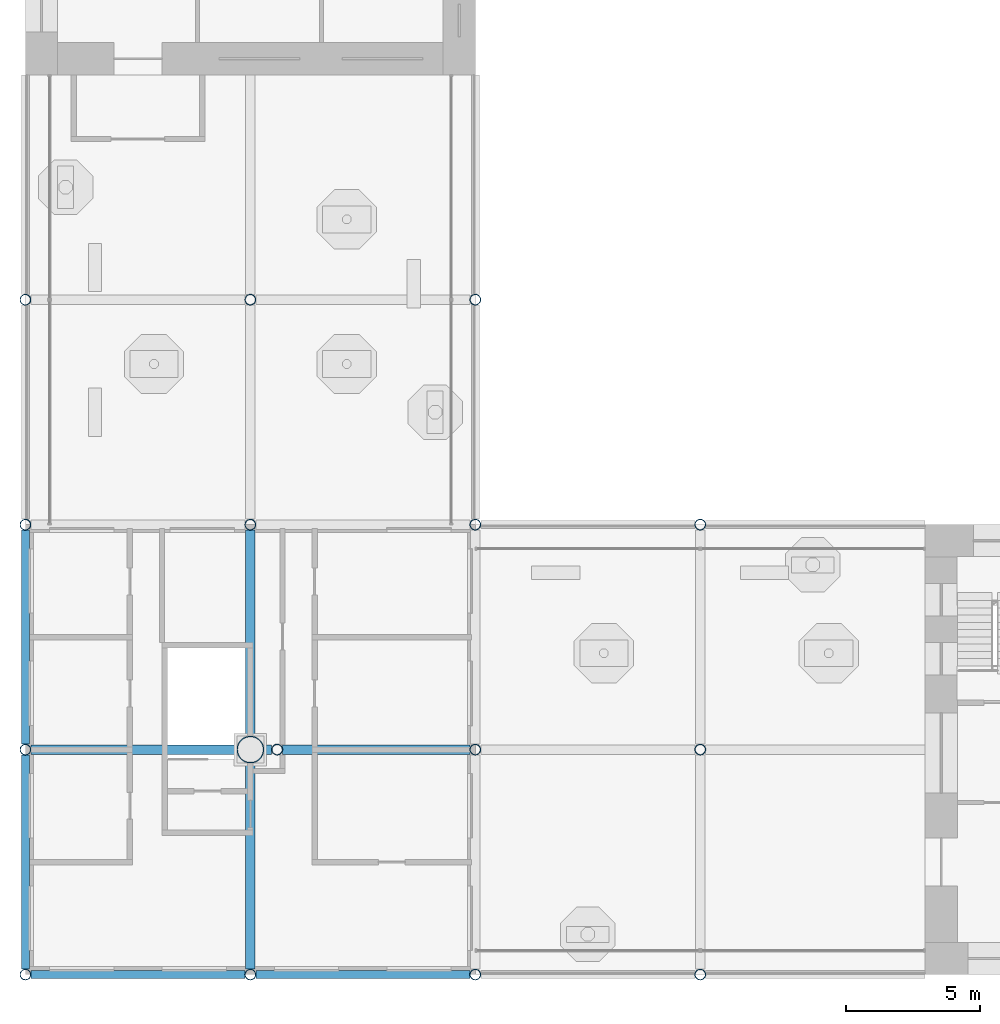
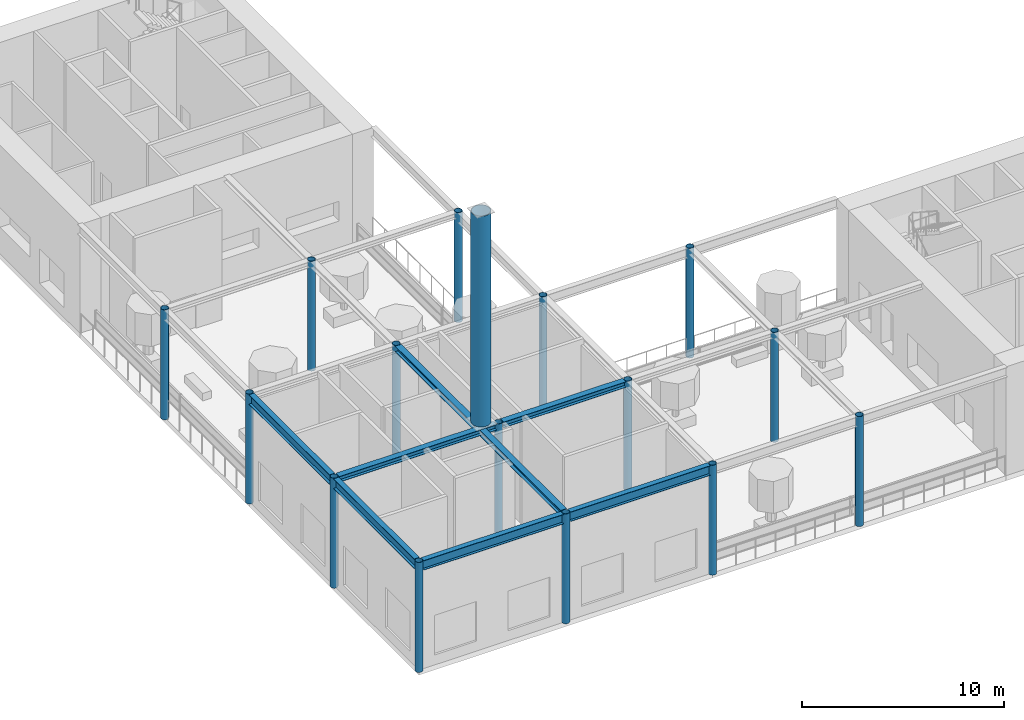
# One storey, part 1 of 15: 15 columns, 8 beams, 1 member.
"""IFC4 building model written with IfcOpenShell, lengths in metres."""

from ifc_helpers import new_model, si_unit, direction, frame, origin, origin_2d, place, context, subcontext, project, spatial, hollow_circle, i_section, extrude, material, material_profile, profile_set, type_object, element, save


model = new_model("IFC4")

# Units and contexts
model_context = context("Model", 3, precision=1e-05, world=origin(), true_north=direction((0.0, 1.0)))
body_context = subcontext(model_context, "Body", "Model", "MODEL_VIEW")
ifc_project = project(units=[si_unit("LENGTHUNIT", "METRE"), si_unit("AREAUNIT", "SQUARE_METRE"), si_unit("VOLUMEUNIT", "CUBIC_METRE"), si_unit("PLANEANGLEUNIT", "RADIAN"), si_unit("MASSUNIT", "GRAM", prefix="KILO")], contexts=[model_context])

# Site, building, storey
site_placement = place(None, origin())
site = spatial("IfcSite", under=ifc_project, at=site_placement, CompositionType="ELEMENT")
building_placement = place(site_placement, origin())
building = spatial("IfcBuilding", under=site, at=building_placement, Name="Vermilion Gate Residences", CompositionType="ELEMENT")
storey_placement = place(building_placement, frame((0.0, 0.0, 277.199951171875)))
storey = spatial("IfcBuildingStorey", under=building, at=storey_placement, Name="L73", CompositionType="ELEMENT", Elevation=277.199951171875)

# Columns
ifc_material_1 = material(Name="Steel SM355", Category="steel")
ifc_material_profile_1 = material_profile(ifc_material_1, hollow_circle(Radius=0.203125, WallThickness=0.01611328125, at=origin_2d()), Name="CHS-406.4x16")
ifc_profile_set_1 = profile_set([ifc_material_profile_1], Name="Steel SM355")
column_type = type_object("IfcColumnType", Name="STEEL COLUMN CHS-406.4x16 SM355", PredefinedType="COLUMN", material=ifc_profile_set_1)
for number, where, z_axis, x_axis, name in (
    (1, (8.39990234375, 8.39990234375, 0.0), (0.0, 0.0, 1.0), (1.0, 0.0, 0.0), "Crown frame column 2-B"),
    (2, (8.39990234375, 16.800048828125, 0.0), (0.0, 0.0, 1.0), (1.0, 0.0, 0.0), "Crown frame column 2-C"),
    (3, (8.39990234375, 25.199951171875, 0.0), (0.0, 0.0, 1.0), (1.0, 0.0, 0.0), "Crown frame column 2-D"),
    (4, (8.39990234375, 33.60009765625, 0.0), (0.0, 0.0, 1.0), (1.0, 0.0, 0.0), "Crown frame column 2-E"),
    (5, (16.800048828125, 8.39990234375, 0.0), (0.0, 0.0, 1.0), (1.0, 0.0, 0.0), "Crown frame column 3-B"),
    (6, (17.800048828125, 16.800048828125, 0.0), (0.0, 0.0, 1.0), (1.0, 0.0, 0.0), "Crown frame column 3-C"),
    (7, (16.800048828125, 25.199951171875, 0.0), (0.0, 0.0, 1.0), (1.0, 0.0, 0.0), "Crown frame column 3-D"),
    (8, (16.800048828125, 33.60009765625, 0.0), (0.0, 0.0, 1.0), (1.0, 0.0, 0.0), "Crown frame column 3-E"),
    (9, (25.199951171875, 8.39990234375, 0.0), (0.0, 0.0, 1.0), (1.0, 0.0, 0.0), "Crown frame column 4-B"),
    (10, (25.199951171875, 16.800048828125, 0.0), (0.0, 0.0, 1.0), (1.0, 0.0, 0.0), "Crown frame column 4-C"),
    (11, (25.199951171875, 25.199951171875, 0.0), (0.0, 0.0, 1.0), (1.0, 0.0, 0.0), "Crown frame column 4-D"),
    (12, (25.199951171875, 33.60009765625, 0.0), (0.0, 0.0, 1.0), (1.0, 0.0, 0.0), "Crown frame column 4-E"),
    (13, (33.60009765625, 8.39990234375, 0.0), (0.0, 0.0, 1.0), (1.0, 0.0, 0.0), "Crown frame column 5-B"),
    (14, (33.60009765625, 16.800048828125, 0.0), (0.0, 0.0, 1.0), (1.0, 0.0, 0.0), "Crown frame column 5-C"),
    (15, (33.60009765625, 25.199951171875, 0.0), (0.0, 0.0, 1.0), (1.0, 0.0, 0.0), "Crown frame column 5-D"),
):
    element("IfcColumn", number, at=place(storey_placement, frame(where, z_axis=z_axis, x_axis=x_axis)), inside=storey, type_object=column_type, Name=name, PredefinedType="COLUMN", context=body_context, shape_type="SweptSolid", body=[
        extrude(hollow_circle(Radius=0.203125, WallThickness=0.01611328125, at=origin_2d()), origin(), (0.0, 0.0, 1.0), 6.650146484375),
    ])

# Member
ifc_material_2 = material(Name="Steel S355", Category="steel")
ifc_material_profile_2 = material_profile(ifc_material_2, hollow_circle(Radius=0.508056640625, WallThickness=0.035888671875, at=origin_2d()), Name="CHS 1016 X 36")
ifc_profile_set_2 = profile_set([ifc_material_profile_2], Name="Steel S355")
member_type = type_object("IfcMemberType", Name="MAST CHS 1016 X 36", PredefinedType="POST", material=ifc_profile_set_2)
member_placement = place(storey_placement, frame((16.800048828125, 16.800048828125, 7.030029296875), z_axis=(0.0, 0.0, 1.0), x_axis=(1.0, 0.0, 0.0)))
element("IfcMember", 16, at=member_placement, inside=storey, type_object=member_type, Name="MAST", PredefinedType="POST", context=body_context, shape_type="SweptSolid", body=[
    extrude(hollow_circle(Radius=0.508056640625, WallThickness=0.035888671875, at=origin_2d()), origin(), (0.0, 0.0, 1.0), 12.7451171875),
])

# Beams
ifc_material_3 = material(Name="Steel SM355", Category="steel")
ifc_material_profile_3 = material_profile(ifc_material_3, i_section(OverallWidth=0.35009765625, OverallDepth=0.35009765625, WebThickness=0.011962890625, FlangeThickness=0.01904296875, at=origin_2d()), Name="H-350x350x12x19")
ifc_profile_set_3 = profile_set([ifc_material_profile_3], Name="Steel SM355")
beam_type_1 = type_object("IfcBeamType", Name="STEEL CANOPY BEAM H-350x350x12x19 SM355", PredefinedType="BEAM", material=ifc_profile_set_3)
beam_1_placement = place(storey_placement, frame((8.603271484375, 16.800048828125, 6.47509765625), z_axis=(1.0, 0.0, 0.0), x_axis=(0.0, 1.0, 0.0)))
element("IfcBeam", 17, at=beam_1_placement, inside=storey, type_object=beam_type_1, Name="Canopy beam 1", PredefinedType="BEAM", context=body_context, shape_type="SweptSolid", body=[
    extrude(i_section(OverallWidth=0.35009765625, OverallDepth=0.35009765625, WebThickness=0.011962890625, FlangeThickness=0.01904296875, at=origin_2d()), origin(), (0.0, 0.0, 1.0), 8.993408203125),
])
for number, where, z_axis, x_axis, name in (
    (18, (16.800048828125, 8.603271484375, 6.47509765625), (0.0, 1.0, 0.0), (-1.0, 0.0, 0.0), "Canopy beam 2"),
    (19, (16.800048828125, 16.97509765625, 6.47509765625), (0.0, 1.0, 0.0), (-1.0, 0.0, 0.0), "Canopy beam 4"),
):
    element("IfcBeam", number, at=place(storey_placement, frame(where, z_axis=z_axis, x_axis=x_axis)), inside=storey, type_object=beam_type_1, Name=name, PredefinedType="BEAM", context=body_context, shape_type="SweptSolid", body=[
        extrude(i_section(OverallWidth=0.35009765625, OverallDepth=0.35009765625, WebThickness=0.011962890625, FlangeThickness=0.01904296875, at=origin_2d()), origin(), (0.0, 0.0, 1.0), 8.021728515625),
    ])
beam_2_placement = place(storey_placement, frame((18.003173828125, 16.800048828125, 6.47509765625), z_axis=(1.0, 0.0, 0.0), x_axis=(0.0, 1.0, 0.0)))
element("IfcBeam", 20, at=beam_2_placement, inside=storey, type_object=beam_type_1, Name="Canopy beam 8", PredefinedType="BEAM", context=body_context, shape_type="SweptSolid", body=[
    extrude(i_section(OverallWidth=0.35009765625, OverallDepth=0.35009765625, WebThickness=0.011962890625, FlangeThickness=0.01904296875, at=origin_2d()), origin(), (0.0, 0.0, 1.0), 6.99365234375),
])
ifc_material_4 = material(Name="Steel SM355", Category="steel")
ifc_material_profile_4 = material_profile(ifc_material_4, i_section(OverallWidth=0.300048828125, OverallDepth=0.587890625, WebThickness=0.011962890625, FlangeThickness=0.02001953125, at=origin_2d()), Name="H-588x300x12x20")
ifc_profile_set_4 = profile_set([ifc_material_profile_4], Name="Steel SM355")
beam_type_2 = type_object("IfcBeamType", Name="STEEL RING BEAM H-588x300x12x20 SM355", PredefinedType="BEAM", material=ifc_profile_set_4)
for number, where, z_axis, x_axis, name in (
    (21, (8.603271484375, 8.39990234375, 6.35595703125), (1.0, 0.0, 0.0), (0.0, 1.0, 0.0), "Crown frame ring beam 1"),
    (22, (8.39990234375, 8.603271484375, 6.35595703125), (0.0, 1.0, 0.0), (-1.0, 0.0, 0.0), "Crown frame ring beam 2"),
):
    element("IfcBeam", number, at=place(storey_placement, frame(where, z_axis=z_axis, x_axis=x_axis)), inside=storey, type_object=beam_type_2, Name=name, PredefinedType="BEAM", context=body_context, shape_type="SweptSolid", body=[
        extrude(i_section(OverallWidth=0.300048828125, OverallDepth=0.587890625, WebThickness=0.011962890625, FlangeThickness=0.02001953125, at=origin_2d()), origin(), (0.0, 0.0, 1.0), 7.993408203125),
    ])
for number, where, z_axis, x_axis, name in (
    (23, (8.39990234375, 17.003173828125, 6.35595703125), (0.0, 1.0, 0.0), (-1.0, 0.0, 0.0), "Crown frame ring beam 3"),
    (24, (17.003173828125, 8.39990234375, 6.35595703125), (1.0, 0.0, 0.0), (0.0, 1.0, 0.0), "Crown frame ring beam 9"),
):
    element("IfcBeam", number, at=place(storey_placement, frame(where, z_axis=z_axis, x_axis=x_axis)), inside=storey, type_object=beam_type_2, Name=name, PredefinedType="BEAM", context=body_context, shape_type="SweptSolid", body=[
        extrude(i_section(OverallWidth=0.300048828125, OverallDepth=0.587890625, WebThickness=0.011962890625, FlangeThickness=0.02001953125, at=origin_2d()), origin(), (0.0, 0.0, 1.0), 7.99365234375),
    ])

save(model, "model.ifc")
